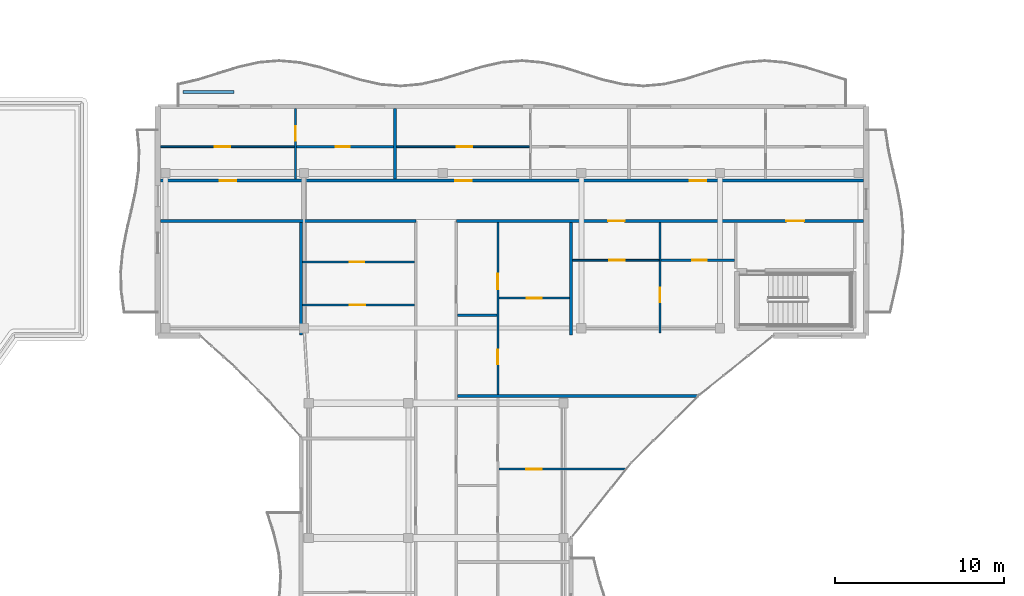
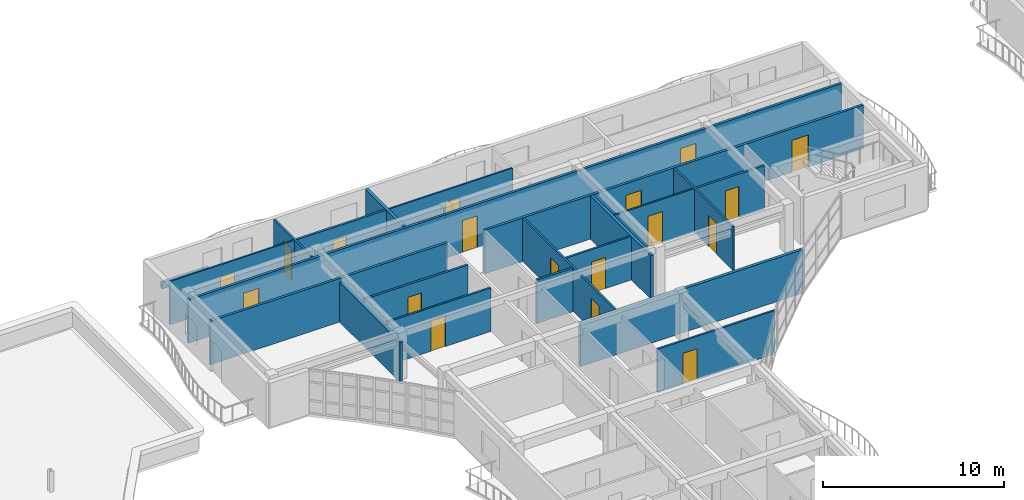
# One storey, part 28 of 54: 21 walls, 18 doors, 18 openings.
"""IFC4 building model written with IfcOpenShell, lengths in metres."""

import ifcopenshell
import ifcopenshell.guid

model = None  # the IFC model being written
_history = None  # IfcOwnerHistory: only IFC2X3 demands one
_inside = {}  # id of a spatial element -> (the spatial element, [elements in it])
_under = {}  # id of a project, library or spatial element -> (it, [spatial elements below it])
_declared = {}  # id of a project -> (the project, [libraries it declares])
_typed = {}  # id of a type object -> (the type object, [elements of that type])
_made_of = {}  # id of a material, layer set ... -> (it, [elements and type objects made of it])


def new_model(schema):
    """Start an empty IFC model of exactly this schema.

    Asked for "IFC4X3", IfcOpenShell would pick the latest addendum, in which some entities
    have other attributes; the version numbers below select the first issue.
    IFC2X3 requires an IfcOwnerHistory on every rooted entity: one is made here for all.
    """
    global model, _history
    if schema == "IFC4X3":
        model = ifcopenshell.file(schema_version=(4, 3, 0, 0))
    else:
        model = ifcopenshell.file(schema=schema)
    _inside.clear()
    _under.clear()
    _declared.clear()
    _typed.clear()
    _made_of.clear()
    _history = None
    if model.schema == "IFC2X3":
        org = make("IfcOrganization", Name="unknown")
        user = make(
            "IfcPersonAndOrganization",
            ThePerson=make("IfcPerson", FamilyName="unknown"),
            TheOrganization=org,
        )
        app = make(
            "IfcApplication",
            ApplicationDeveloper=org,
            Version="unknown",
            ApplicationFullName="unknown",
            ApplicationIdentifier="unknown",
        )
        _history = make(
            "IfcOwnerHistory",
            OwningUser=user,
            OwningApplication=app,
            ChangeAction="ADDED",
            CreationDate=0,
        )
    return model


def make(cls, **values):
    """One entity of the class cls with the attributes given. An attribute that is None is left unset."""
    return model.create_entity(
        cls, **{name: value for name, value in values.items() if value is not None}
    )


def rooted(cls, **values):
    """An entity with a GlobalId (a new one), such as an element, a storey or a relation."""
    return make(cls, GlobalId=ifcopenshell.guid.new(), OwnerHistory=_history, **values)


def si_unit(unit_type, name, prefix=None):
    """IfcSIUnit, for example si_unit("LENGTHUNIT", "METRE", prefix="MILLI")."""
    return make("IfcSIUnit", UnitType=unit_type, Prefix=prefix, Name=name)


def assignment(units):
    """IfcUnitAssignment: the units of a project."""
    return None if units is None else make("IfcUnitAssignment", Units=units)


def point(xyz):
    """IfcCartesianPoint."""
    return None if xyz is None else make("IfcCartesianPoint", Coordinates=xyz)


def direction(xyz):
    """IfcDirection."""
    return None if xyz is None else make("IfcDirection", DirectionRatios=xyz)


def frame(location, z_axis=None, x_axis=None):
    """IfcAxis2Placement3D, a coordinate frame: its origin and axes. An axis left out is left unset."""
    return make(
        "IfcAxis2Placement3D",
        Location=point(location),
        Axis=direction(z_axis),
        RefDirection=direction(x_axis),
    )


def frame_2d(location, x_axis=None):
    """IfcAxis2Placement2D, a coordinate frame in the plane: its origin and x axis."""
    return make(
        "IfcAxis2Placement2D", Location=point(location), RefDirection=direction(x_axis)
    )


def origin():
    """The frame at (0, 0, 0) with its axes left unset."""
    return frame((0.0, 0.0, 0.0))


def place(relative_to, where):
    """IfcLocalPlacement: puts the frame where relative to a parent placement (None: the world)."""
    return make(
        "IfcLocalPlacement", PlacementRelTo=relative_to, RelativePlacement=where
    )


def context(
    kind, dimensions, precision=None, world=None, true_north=None, identifier=None
):
    """IfcGeometricRepresentationContext, for example the 3D "Model" context."""
    return make(
        "IfcGeometricRepresentationContext",
        ContextIdentifier=identifier,
        ContextType=kind,
        CoordinateSpaceDimension=dimensions,
        Precision=precision,
        WorldCoordinateSystem=world,
        TrueNorth=true_north,
    )


def subcontext(parent, identifier, kind, view, scale=None):
    """IfcGeometricRepresentationSubContext, for example "Body" below "Model"."""
    return make(
        "IfcGeometricRepresentationSubContext",
        ContextIdentifier=identifier,
        ContextType=kind,
        ParentContext=parent,
        TargetScale=scale,
        TargetView=view,
    )


def project(units=None, contexts=None):
    """IfcProject with its units and contexts."""
    return rooted(
        "IfcProject",
        Name="project",
        RepresentationContexts=contexts,
        UnitsInContext=assignment(units),
    )


def spatial(cls, under=None, at=None, **own):
    """A site, building, storey or space (cls), placed at a placement, below another one or the project."""
    s = rooted(cls, ObjectPlacement=at, **own)
    if under is not None:
        _under.setdefault(under.id(), (under, []))[1].append(s)
    return s


def profile(cls, at=None, kind="AREA", **sizes):
    """A parametric profile (cls). Its sizes go by their IFC names, for example OverallWidth=200.0."""
    return make(cls, ProfileType=kind, Position=at, **sizes)


def rectangle(**sizes):
    """IfcRectangleProfileDef."""
    return profile("IfcRectangleProfileDef", **sizes)


def extrude(swept, where, along, depth):
    """IfcExtrudedAreaSolid: the profile swept, set in the frame where, extruded along a direction by depth."""
    return make(
        "IfcExtrudedAreaSolid",
        SweptArea=swept,
        Position=where,
        ExtrudedDirection=direction(along),
        Depth=depth,
    )


def shape(context_of_items, identifier, shape_type, items):
    """IfcShapeRepresentation: the items that make up one representation, for example the "Body"."""
    return make(
        "IfcShapeRepresentation",
        ContextOfItems=context_of_items,
        RepresentationIdentifier=identifier,
        RepresentationType=shape_type,
        Items=items,
    )


def material(Name=None, Category=None):
    """IfcMaterial."""
    return make("IfcMaterial", Name=Name, Category=Category)


def layer(
    of_material, thickness, ventilated=None, Name=None, Category=None, Priority=None
):
    """IfcMaterialLayer: one layer of a wall or slab, of a material (None: an air gap)."""
    return make(
        "IfcMaterialLayer",
        Material=of_material,
        LayerThickness=thickness,
        IsVentilated=ventilated,
        Name=Name,
        Category=Category,
        Priority=Priority,
    )


def layer_set(layers, Name=None):
    """IfcMaterialLayerSet."""
    return make("IfcMaterialLayerSet", MaterialLayers=layers, LayerSetName=Name)


def made_of(thing, what):
    """Note that an element or type object is made of a material, layer set ...; save() writes the relation."""
    if what is not None:
        _made_of.setdefault(what.id(), (what, []))[1].append(thing)
    return thing


def type_object(cls, material=None, **own):
    """A type object (cls), such as IfcWallType, which elements share."""
    return made_of(rooted(cls, **own), material)


def element(
    cls,
    number,
    at=None,
    inside=None,
    cuts=None,
    type_object=None,
    material=None,
    context=None,
    identifier="Body",
    shape_type=None,
    held_by="IfcProductDefinitionShape",
    body=None,
    shapes=None,
    **own,
):
    """One element of the class cls, such as IfcWall. Its Tag is "e" and its number.

    at: its placement. inside: the storey or other place that contains it. cuts: it is an
    opening in that element (IfcRelVoidsElement). A single representation is given by context,
    identifier, shape_type and body (its items); several are given by shapes. held_by: the class
    of the entity that holds the representations. save() writes the other relations.
    """
    e = rooted(cls, Tag="e%d" % number, ObjectPlacement=at, **own)
    if body is not None:
        shapes = [shape(context, identifier, shape_type, body)]
    if shapes is not None:
        e.Representation = make(held_by, Representations=shapes)
    if inside is not None:
        _inside.setdefault(inside.id(), (inside, []))[1].append(e)
    if cuts is not None:
        rooted(
            "IfcRelVoidsElement", RelatingBuildingElement=cuts, RelatedOpeningElement=e
        )
    if type_object is not None:
        _typed.setdefault(type_object.id(), (type_object, []))[1].append(e)
    return made_of(e, material)


def fill(opening, filler):
    """IfcRelFillsElement: the door or window that sits in an opening."""
    return rooted(
        "IfcRelFillsElement",
        RelatingOpeningElement=opening,
        RelatedBuildingElement=filler,
    )


def aggregate(whole, parts):
    """IfcRelAggregates: a whole, such as a stair, and the parts it consists of."""
    return rooted("IfcRelAggregates", RelatingObject=whole, RelatedObjects=parts)


def save(model, path):
    """Write the relations noted so far, then the file.

    IfcRelAggregates (storeys below a building ...), IfcRelContainedInSpatialStructure (elements
    in a storey), IfcRelDefinesByType, IfcRelAssociatesMaterial and IfcRelDeclares: one each for
    every whole, place, type object, material and project.
    """
    for whole, parts in _under.values():
        aggregate(whole, parts)
    for where, things in _inside.values():
        rooted(
            "IfcRelContainedInSpatialStructure",
            RelatedElements=things,
            RelatingStructure=where,
        )
    for kind, things in _typed.values():
        rooted("IfcRelDefinesByType", RelatedObjects=things, RelatingType=kind)
    for what, things in _made_of.values():
        rooted("IfcRelAssociatesMaterial", RelatedObjects=things, RelatingMaterial=what)
    for by, libraries in _declared.values():
        rooted("IfcRelDeclares", RelatingContext=by, RelatedDefinitions=libraries)
    model.write(path)


model = new_model("IFC4")

# Units and contexts
model_context = context("Model", 3, precision=1e-05, world=origin(), true_north=direction((0.0, 1.0)))
body_context = subcontext(model_context, "Body", "Model", "MODEL_VIEW")
ifc_project = project(units=[si_unit("LENGTHUNIT", "METRE"), si_unit("AREAUNIT", "SQUARE_METRE"), si_unit("VOLUMEUNIT", "CUBIC_METRE"), si_unit("PLANEANGLEUNIT", "RADIAN"), si_unit("MASSUNIT", "GRAM", prefix="KILO")], contexts=[model_context])

# Site, building, storey
site_placement = place(None, origin())
site = spatial("IfcSite", under=ifc_project, at=site_placement, CompositionType="ELEMENT")
building_placement = place(site_placement, origin())
building = spatial("IfcBuilding", under=site, at=building_placement, Name="Keldmere Railside Commons", CompositionType="ELEMENT")
storey_placement = place(building_placement, frame((0.0, 0.0, 26.56005859375)))
storey = spatial("IfcBuildingStorey", under=building, at=storey_placement, Name="L08", CompositionType="ELEMENT", Elevation=26.56005859375)

# Walls
ifc_material_1 = material(Name="Acoustic Gypsum Board Partition", Category="gypsum")
ifc_layer_1 = layer(ifc_material_1, 0.179931640625, Name="Acoustic Demising Partition 180")
ifc_layer_set_1 = layer_set([ifc_layer_1], Name="Acoustic Gypsum Board Partition")
wall_type_1 = type_object("IfcWallType", Name="Acoustic Demising Partition 180", PredefinedType="PARTITIONING", material=ifc_layer_set_1)
wall_1_placement = place(storey_placement, frame((64.0, 100.050048828125, 0.0), z_axis=(0.0, 0.0, 1.0), x_axis=(0.0, 1.0, 0.0)))
element("IfcWall", 1, at=wall_1_placement, inside=storey, type_object=wall_type_1, Name="IW-1 IW-L08-0820", PredefinedType="PARTITIONING", context=body_context, shape_type="SweptSolid", body=[
    extrude(rectangle(XDim=6.669921875, YDim=0.179931640625, at=frame_2d((3.3349609375, 0.0))), origin(), (0.0, 0.0, 1.0), 2.93505859375),
])
wall_2_placement = place(storey_placement, frame((48.0, 100.050048828125, 0.0), z_axis=(0.0, 0.0, 1.0), x_axis=(0.0, 1.0, 0.0)))
element("IfcWall", 2, at=wall_2_placement, inside=storey, type_object=wall_type_1, Name="IW-1 IW-L08-0821", PredefinedType="PARTITIONING", context=body_context, shape_type="SweptSolid", body=[
    extrude(rectangle(XDim=6.669921875, YDim=0.179931640625, at=frame_2d((3.3349609375, 0.0))), origin(), (0.0, 0.0, 1.0), 2.679931640625),
])
wall_3_placement = place(storey_placement, frame((57.280029296875, 96.429931640625, 0.0), z_axis=(0.0, 0.0, 1.0), x_axis=(1.0, 0.0, 0.0)))
element("IfcWall", 3, at=wall_3_placement, inside=storey, type_object=wall_type_1, Name="IW-1 IW-L08-0826", PredefinedType="PARTITIONING", context=body_context, shape_type="SweptSolid", body=[
    extrude(rectangle(XDim=14.21728515625, YDim=0.179931640625, at=frame_2d((7.108642578125, 0.0))), origin(), (0.0, 0.0, 1.0), 2.93505859375),
])
wall_4_placement = place(storey_placement, frame((53.550048828125, 109.280029296875, 0.0), z_axis=(0.0, 0.0, 1.0), x_axis=(0.0, 1.0, 0.0)))
element("IfcWall", 4, at=wall_4_placement, inside=storey, type_object=wall_type_1, Name="IW-1 IW-L08-0837", PredefinedType="PARTITIONING", context=body_context, shape_type="SweptSolid", body=[
    extrude(rectangle(XDim=4.199951171875, YDim=0.179931640625, at=frame_2d((2.10009765625, 0.0))), origin(), (0.0, 0.0, 1.0), 2.93505859375),
])

# Wall, opening, door
ifc_layer_2 = layer(ifc_material_1, 0.1201171875, Name="Apartment Interior Partition 120")
ifc_layer_set_2 = layer_set([ifc_layer_2], Name="Acoustic Gypsum Board Partition")
wall_type_2 = type_object("IfcWallType", Name="Apartment Interior Partition 120", PredefinedType="PARTITIONING", material=ifc_layer_set_2)
wall_5_placement = place(storey_placement, frame((59.719970703125, 92.090087890625, 0.0), z_axis=(0.0, 0.0, 1.0), x_axis=(1.0, 0.0, 0.0)))
wall_5 = element("IfcWall", 5, at=wall_5_placement, inside=storey, type_object=wall_type_2, Name="IW-4 IW-L08-0833", PredefinedType="PARTITIONING", context=body_context, shape_type="SweptSolid", body=[
    extrude(rectangle(XDim=7.510009765625, YDim=0.1201171875, at=frame_2d((3.7548828125, 0.0))), origin(), (0.0, 0.0, 1.0), 2.93505859375),
])
opening_1_placement = place(wall_5_placement, frame((1.6298828125, 0.0, 0.0)))
opening_1 = element("IfcOpeningElement", 6, at=opening_1_placement, cuts=wall_5, Name="Opening ID-01", PredefinedType="OPENING", context=body_context, shape_type="SweptSolid", body=[
    extrude(rectangle(XDim=0.89990234375, YDim=2.10009765625, at=frame_2d((0.449951171875, 1.050048828125))), frame((0.0, 0.070068359375, 0.0), z_axis=(0.0, -1.0, 0.0), x_axis=(1.0, 0.0, 0.0)), (0.0, 0.0, 1.0), 0.14013671875),
])
ifc_material_2 = material(Name="Engineered Oak Timber", Category="wood")
door_type_1 = type_object("IfcDoorType", Name="Primary Bedroom Door 900x2100", OperationType="NOTDEFINED", PredefinedType="DOOR", material=ifc_material_2)
door_1_placement = place(opening_1_placement, origin())
door_1 = element("IfcDoor", 7, at=door_1_placement, inside=storey, type_object=door_type_1, Name="ID-01 IDR-L08-0712", OperationType="SINGLE_SWING_RIGHT", OverallHeight=2.10009765625, OverallWidth=0.89990234375, PredefinedType="DOOR", context=body_context, shape_type="SweptSolid", body=[
    extrude(rectangle(XDim=0.89990234375, YDim=2.10009765625, at=frame_2d((0.449951171875, 1.050048828125))), frame((0.0, 0.02490234375, 0.0), z_axis=(0.0, -1.0, 0.0), x_axis=(1.0, 0.0, 0.0)), (0.0, 0.0, 1.0), 0.050048828125),
])
fill(opening_1, door_1)

# Wall, openings, doors
wall_6_placement = place(storey_placement, frame((59.659912109375, 96.52001953125, 0.0), z_axis=(0.0, 0.0, 1.0), x_axis=(0.0, 1.0, 0.0)))
wall_6 = element("IfcWall", 8, at=wall_6_placement, inside=storey, type_object=wall_type_2, Name="IW-4 IW-L08-0834", PredefinedType="PARTITIONING", context=body_context, shape_type="SweptSolid", body=[
    extrude(rectangle(XDim=10.199951171875, YDim=0.1201171875, at=frame_2d((5.10009765625, 0.0))), origin(), (0.0, 0.0, 1.0), 2.93505859375),
])
opening_2_placement = place(wall_6_placement, frame((1.7822265625, 0.0, 0.0)))
opening_2 = element("IfcOpeningElement", 9, at=opening_2_placement, cuts=wall_6, Name="Opening ID-04", PredefinedType="OPENING", context=body_context, shape_type="SweptSolid", body=[
    extrude(rectangle(XDim=0.860107421875, YDim=2.10009765625, at=frame_2d((0.43017578125, 1.050048828125))), frame((0.0, 0.070068359375, 0.0), z_axis=(0.0, -1.0, 0.0), x_axis=(1.0, 0.0, 0.0)), (0.0, 0.0, 1.0), 0.14013671875),
])
opening_3_placement = place(wall_6_placement, frame((6.23291015625, 0.0, 0.0)))
opening_3 = element("IfcOpeningElement", 10, at=opening_3_placement, cuts=wall_6, Name="Opening ID-03", PredefinedType="OPENING", context=body_context, shape_type="SweptSolid", body=[
    extrude(rectangle(XDim=0.919921875, YDim=2.10009765625, at=frame_2d((0.4599609375, 1.050048828125))), frame((0.0, 0.070068359375, 0.0), z_axis=(0.0, -1.0, 0.0), x_axis=(1.0, 0.0, 0.0)), (0.0, 0.0, 1.0), 0.14013671875),
])
door_type_2 = type_object("IfcDoorType", Name="Apartment Bathroom Door 860x2100", OperationType="NOTDEFINED", PredefinedType="DOOR", material=ifc_material_2)
door_2_placement = place(opening_2_placement, origin())
door_2 = element("IfcDoor", 11, at=door_2_placement, inside=storey, type_object=door_type_2, Name="ID-04 IDR-L08-0713", OperationType="SINGLE_SWING_LEFT", OverallHeight=2.10009765625, OverallWidth=0.860107421875, PredefinedType="DOOR", context=body_context, shape_type="SweptSolid", body=[
    extrude(rectangle(XDim=0.860107421875, YDim=2.10009765625, at=frame_2d((0.43017578125, 1.050048828125))), frame((0.0, 0.02490234375, 0.0), z_axis=(0.0, -1.0, 0.0), x_axis=(1.0, 0.0, 0.0)), (0.0, 0.0, 1.0), 0.050048828125),
])
fill(opening_2, door_2)
door_type_3 = type_object("IfcDoorType", Name="Kitchen Pocket-Frame Swing Door 920x2100", OperationType="NOTDEFINED", PredefinedType="DOOR", material=ifc_material_2)
door_3_placement = place(opening_3_placement, origin())
door_3 = element("IfcDoor", 12, at=door_3_placement, inside=storey, type_object=door_type_3, Name="ID-03 IDR-L08-0714", OperationType="SINGLE_SWING_RIGHT", OverallHeight=2.10009765625, OverallWidth=0.919921875, PredefinedType="DOOR", context=body_context, shape_type="SweptSolid", body=[
    extrude(rectangle(XDim=0.919921875, YDim=2.10009765625, at=frame_2d((0.4599609375, 1.050048828125))), frame((0.0, 0.02490234375, 0.0), z_axis=(0.0, -1.0, 0.0), x_axis=(1.0, 0.0, 0.0)), (0.0, 0.0, 1.0), 0.050048828125),
])
fill(opening_3, door_3)

# Wall, opening, door
wall_7_placement = place(storey_placement, frame((59.719970703125, 102.22998046875, 0.0), z_axis=(0.0, 0.0, 1.0), x_axis=(1.0, 0.0, 0.0)))
wall_7 = element("IfcWall", 13, at=wall_7_placement, inside=storey, type_object=wall_type_2, Name="IW-4 IW-L08-0836", PredefinedType="PARTITIONING", context=body_context, shape_type="SweptSolid", body=[
    extrude(rectangle(XDim=4.18994140625, YDim=0.1201171875, at=frame_2d((2.094970703125, 0.0))), origin(), (0.0, 0.0, 1.0), 2.93505859375),
])
opening_4_placement = place(wall_7_placement, frame((1.64501953125, 0.0, 0.0)))
opening_4 = element("IfcOpeningElement", 14, at=opening_4_placement, cuts=wall_7, Name="Opening ID-01", PredefinedType="OPENING", context=body_context, shape_type="SweptSolid", body=[
    extrude(rectangle(XDim=0.89990234375, YDim=2.10009765625, at=frame_2d((0.449951171875, 1.050048828125))), frame((0.0, 0.070068359375, 0.0), z_axis=(0.0, -1.0, 0.0), x_axis=(1.0, 0.0, 0.0)), (0.0, 0.0, 1.0), 0.14013671875),
])
door_4_placement = place(opening_4_placement, origin())
door_4 = element("IfcDoor", 15, at=door_4_placement, inside=storey, type_object=door_type_1, Name="ID-01 IDR-L08-0716", OperationType="SINGLE_SWING_RIGHT", OverallHeight=2.10009765625, OverallWidth=0.89990234375, PredefinedType="DOOR", context=body_context, shape_type="SweptSolid", body=[
    extrude(rectangle(XDim=0.89990234375, YDim=2.10009765625, at=frame_2d((0.449951171875, 1.050048828125))), frame((0.0, 0.02490234375, 0.0), z_axis=(0.0, -1.0, 0.0), x_axis=(1.0, 0.0, 0.0)), (0.0, 0.0, 1.0), 0.050048828125),
])
fill(opening_4, door_4)

wall_8_placement = place(storey_placement, frame((47.659912109375, 109.280029296875, 0.0), z_axis=(0.0, 0.0, 1.0), x_axis=(0.0, 1.0, 0.0)))
wall_8 = element("IfcWall", 16, at=wall_8_placement, inside=storey, type_object=wall_type_2, Name="IW-4 IW-L08-0839", PredefinedType="PARTITIONING", context=body_context, shape_type="SweptSolid", body=[
    extrude(rectangle(XDim=4.199951171875, YDim=0.1201171875, at=frame_2d((2.10009765625, 0.0))), origin(), (0.0, 0.0, 1.0), 2.93505859375),
])
opening_5_placement = place(wall_8_placement, frame((2.267578125, 0.0, 0.0)))
opening_5 = element("IfcOpeningElement", 17, at=opening_5_placement, cuts=wall_8, Name="Opening ID-04", PredefinedType="OPENING", context=body_context, shape_type="SweptSolid", body=[
    extrude(rectangle(XDim=0.860107421875, YDim=2.10009765625, at=frame_2d((0.43017578125, 1.050048828125))), frame((0.0, 0.070068359375, 0.0), z_axis=(0.0, -1.0, 0.0), x_axis=(1.0, 0.0, 0.0)), (0.0, 0.0, 1.0), 0.14013671875),
])
door_5_placement = place(opening_5_placement, origin())
door_5 = element("IfcDoor", 18, at=door_5_placement, inside=storey, type_object=door_type_2, Name="ID-04 IDR-L08-0719", OperationType="SINGLE_SWING_LEFT", OverallHeight=2.10009765625, OverallWidth=0.860107421875, PredefinedType="DOOR", context=body_context, shape_type="SweptSolid", body=[
    extrude(rectangle(XDim=0.860107421875, YDim=2.10009765625, at=frame_2d((0.43017578125, 1.050048828125))), frame((0.0, 0.02490234375, 0.0), z_axis=(0.0, -1.0, 0.0), x_axis=(1.0, 0.0, 0.0)), (0.0, 0.0, 1.0), 0.050048828125),
])
fill(opening_5, door_5)

wall_9_placement = place(storey_placement, frame((69.280029296875, 100.159912109375, 0.0), z_axis=(0.0, 0.0, 1.0), x_axis=(0.0, 1.0, 0.0)))
wall_9 = element("IfcWall", 19, at=wall_9_placement, inside=storey, type_object=wall_type_2, Name="IW-4 IW-L08-0848", PredefinedType="PARTITIONING", context=body_context, shape_type="SweptSolid", body=[
    extrude(rectangle(XDim=6.56005859375, YDim=0.1201171875, at=frame_2d((3.280029296875, 0.0))), origin(), (0.0, 0.0, 1.0), 2.93505859375),
])
opening_6_placement = place(wall_9_placement, frame((1.810302734375, 0.0, 0.0)))
opening_6 = element("IfcOpeningElement", 20, at=opening_6_placement, cuts=wall_9, Name="Opening ID-02", PredefinedType="OPENING", context=body_context, shape_type="SweptSolid", body=[
    extrude(rectangle(XDim=0.8798828125, YDim=2.10009765625, at=frame_2d((0.43994140625, 1.050048828125))), frame((0.0, 0.070068359375, 0.0), z_axis=(0.0, -1.0, 0.0), x_axis=(1.0, 0.0, 0.0)), (0.0, 0.0, 1.0), 0.14013671875),
])
door_type_4 = type_object("IfcDoorType", Name="Secondary Bedroom Door 880x2100", OperationType="NOTDEFINED", PredefinedType="DOOR", material=ifc_material_2)
door_6_placement = place(opening_6_placement, origin())
door_6 = element("IfcDoor", 21, at=door_6_placement, inside=storey, type_object=door_type_4, Name="ID-02 IDR-L08-0733", OperationType="SINGLE_SWING_LEFT", OverallHeight=2.10009765625, OverallWidth=0.8798828125, PredefinedType="DOOR", context=body_context, shape_type="SweptSolid", body=[
    extrude(rectangle(XDim=0.8798828125, YDim=2.10009765625, at=frame_2d((0.43994140625, 1.050048828125))), frame((0.0, 0.02490234375, 0.0), z_axis=(0.0, -1.0, 0.0), x_axis=(1.0, 0.0, 0.0)), (0.0, 0.0, 1.0), 0.050048828125),
])
fill(opening_6, door_6)

wall_10_placement = place(storey_placement, frame((48.090087890625, 101.820068359375, 0.0), z_axis=(0.0, 0.0, 1.0), x_axis=(1.0, 0.0, 0.0)))
wall_10 = element("IfcWall", 22, at=wall_10_placement, inside=storey, type_object=wall_type_2, Name="IW-4 IW-L08-0854", PredefinedType="PARTITIONING", context=body_context, shape_type="SweptSolid", body=[
    extrude(rectangle(XDim=6.6298828125, YDim=0.1201171875, at=frame_2d((3.31494140625, 0.0))), origin(), (0.0, 0.0, 1.0), 2.93505859375),
])
opening_7_placement = place(wall_10_placement, frame((2.78466796875, 0.0, 0.0)))
opening_7 = element("IfcOpeningElement", 23, at=opening_7_placement, cuts=wall_10, Name="Opening ID-03", PredefinedType="OPENING", context=body_context, shape_type="SweptSolid", body=[
    extrude(rectangle(XDim=0.919921875, YDim=2.10009765625, at=frame_2d((0.4599609375, 1.050048828125))), frame((0.0, 0.070068359375, 0.0), z_axis=(0.0, -1.0, 0.0), x_axis=(1.0, 0.0, 0.0)), (0.0, 0.0, 1.0), 0.14013671875),
])
door_7_placement = place(opening_7_placement, origin())
door_7 = element("IfcDoor", 24, at=door_7_placement, inside=storey, type_object=door_type_3, Name="ID-03 IDR-L08-0740", OperationType="SINGLE_SWING_RIGHT", OverallHeight=2.10009765625, OverallWidth=0.919921875, PredefinedType="DOOR", context=body_context, shape_type="SweptSolid", body=[
    extrude(rectangle(XDim=0.919921875, YDim=2.10009765625, at=frame_2d((0.4599609375, 1.050048828125))), frame((0.0, 0.02490234375, 0.0), z_axis=(0.0, -1.0, 0.0), x_axis=(1.0, 0.0, 0.0)), (0.0, 0.0, 1.0), 0.050048828125),
])
fill(opening_7, door_7)

# Wall
ifc_material_3 = material(Name="White Precast Concrete H-35 (C35/45)", Category="concrete")
ifc_layer_3 = layer(ifc_material_3, 0.169921875, Name="Balcony Planter Kerb Wall 170")
ifc_layer_set_3 = layer_set([ifc_layer_3], Name="White Precast Concrete H-35 (C35/45)")
wall_type_3 = type_object("IfcWallType", Name="Balcony Planter Kerb Wall 170", PredefinedType="PARAPET", material=ifc_layer_set_3)
wall_11_placement = place(storey_placement, frame((41.0, 114.449951171875, 0.0), z_axis=(0.0, 0.0, 1.0), x_axis=(1.0, 0.0, 0.0)))
element("IfcWall", 25, at=wall_11_placement, inside=storey, type_object=wall_type_3, Name="PW-2 PKBC-L08-0396", PredefinedType="PARAPET", context=body_context, shape_type="SweptSolid", body=[
    extrude(rectangle(XDim=3.0, YDim=0.169921875, at=frame_2d((1.5, 0.0))), origin(), (0.0, 0.0, 1.0), 0.449951171875),
])

# Wall, opening, door
ifc_layer_4 = layer(ifc_material_1, 0.10009765625, Name="Closet Light Partition 100")
ifc_layer_set_4 = layer_set([ifc_layer_4], Name="Acoustic Gypsum Board Partition")
wall_type_4 = type_object("IfcWallType", Name="Closet Light Partition 100", PredefinedType="PARTITIONING", material=ifc_layer_set_4)
wall_12_placement = place(storey_placement, frame((39.659912109375, 111.2099609375, 0.0), z_axis=(0.0, 0.0, 1.0), x_axis=(1.0, 0.0, 0.0)))
wall_12 = element("IfcWall", 26, at=wall_12_placement, inside=storey, type_object=wall_type_4, Name="IW-6 IW-L08-0841", PredefinedType="PARTITIONING", context=body_context, shape_type="SweptSolid", body=[
    extrude(rectangle(XDim=7.940185546875, YDim=0.10009765625, at=frame_2d((3.97021484375, 0.0))), origin(), (0.0, 0.0, 1.0), 2.93505859375),
])
opening_8_placement = place(wall_12_placement, frame((3.199951171875, 0.0, 0.0)))
opening_8 = element("IfcOpeningElement", 27, at=opening_8_placement, cuts=wall_12, Name="Opening ID-03", PredefinedType="OPENING", context=body_context, shape_type="SweptSolid", body=[
    extrude(rectangle(XDim=0.919921875, YDim=2.10009765625, at=frame_2d((0.4599609375, 1.050048828125))), frame((0.0, 0.06005859375, 0.0), z_axis=(0.0, -1.0, 0.0), x_axis=(1.0, 0.0, 0.0)), (0.0, 0.0, 1.0), 0.1201171875),
])
door_8_placement = place(opening_8_placement, origin())
door_8 = element("IfcDoor", 28, at=door_8_placement, inside=storey, type_object=door_type_3, Name="ID-03 IDR-L08-0718", OperationType="SINGLE_SWING_RIGHT", OverallHeight=2.10009765625, OverallWidth=0.919921875, PredefinedType="DOOR", context=body_context, shape_type="SweptSolid", body=[
    extrude(rectangle(XDim=0.919921875, YDim=2.10009765625, at=frame_2d((0.4599609375, 1.050048828125))), frame((0.0, 0.02490234375, 0.0), z_axis=(0.0, -1.0, 0.0), x_axis=(1.0, 0.0, 0.0)), (0.0, 0.0, 1.0), 0.050048828125),
])
fill(opening_8, door_8)

wall_13_placement = place(storey_placement, frame((53.639892578125, 111.2099609375, 0.0), z_axis=(0.0, 0.0, 1.0), x_axis=(1.0, 0.0, 0.0)))
wall_13 = element("IfcWall", 29, at=wall_13_placement, inside=storey, type_object=wall_type_4, Name="IW-6 IW-L08-0844", PredefinedType="PARTITIONING", context=body_context, shape_type="SweptSolid", body=[
    extrude(rectangle(XDim=7.900146484375, YDim=0.10009765625, at=frame_2d((3.9501953125, 0.0))), origin(), (0.0, 0.0, 1.0), 2.93505859375),
])
opening_9_placement = place(wall_13_placement, frame((3.583984375, 0.0, 0.0)))
opening_9 = element("IfcOpeningElement", 30, at=opening_9_placement, cuts=wall_13, Name="Opening ID-03", PredefinedType="OPENING", context=body_context, shape_type="SweptSolid", body=[
    extrude(rectangle(XDim=0.919921875, YDim=2.10009765625, at=frame_2d((0.4599609375, 1.050048828125))), frame((0.0, 0.06005859375, 0.0), z_axis=(0.0, -1.0, 0.0), x_axis=(1.0, 0.0, 0.0)), (0.0, 0.0, 1.0), 0.1201171875),
])
door_9_placement = place(opening_9_placement, origin())
door_9 = element("IfcDoor", 31, at=door_9_placement, inside=storey, type_object=door_type_3, Name="ID-03 IDR-L08-0722", OperationType="SINGLE_SWING_RIGHT", OverallHeight=2.10009765625, OverallWidth=0.919921875, PredefinedType="DOOR", context=body_context, shape_type="SweptSolid", body=[
    extrude(rectangle(XDim=0.919921875, YDim=2.10009765625, at=frame_2d((0.4599609375, 1.050048828125))), frame((0.0, 0.02490234375, 0.0), z_axis=(0.0, -1.0, 0.0), x_axis=(1.0, 0.0, 0.0)), (0.0, 0.0, 1.0), 0.050048828125),
])
fill(opening_9, door_9)

wall_14_placement = place(storey_placement, frame((64.090087890625, 104.469970703125, 0.0), z_axis=(0.0, 0.0, 1.0), x_axis=(1.0, 0.0, 0.0)))
wall_14 = element("IfcWall", 32, at=wall_14_placement, inside=storey, type_object=wall_type_4, Name="IW-6 IW-L08-0850", PredefinedType="PARTITIONING", context=body_context, shape_type="SweptSolid", body=[
    extrude(rectangle(XDim=5.1298828125, YDim=0.10009765625, at=frame_2d((2.56494140625, 0.0))), origin(), (0.0, 0.0, 1.0), 2.93505859375),
])
opening_10_placement = place(wall_14_placement, frame((2.1796875, 0.0, 0.0)))
opening_10 = element("IfcOpeningElement", 33, at=opening_10_placement, cuts=wall_14, Name="Opening ID-03", PredefinedType="OPENING", context=body_context, shape_type="SweptSolid", body=[
    extrude(rectangle(XDim=0.919921875, YDim=2.10009765625, at=frame_2d((0.4599609375, 1.050048828125))), frame((0.0, 0.06005859375, 0.0), z_axis=(0.0, -1.0, 0.0), x_axis=(1.0, 0.0, 0.0)), (0.0, 0.0, 1.0), 0.1201171875),
])
door_10_placement = place(opening_10_placement, origin())
door_10 = element("IfcDoor", 34, at=door_10_placement, inside=storey, type_object=door_type_3, Name="ID-03 IDR-L08-0732", OperationType="SINGLE_SWING_RIGHT", OverallHeight=2.10009765625, OverallWidth=0.919921875, PredefinedType="DOOR", context=body_context, shape_type="SweptSolid", body=[
    extrude(rectangle(XDim=0.919921875, YDim=2.10009765625, at=frame_2d((0.4599609375, 1.050048828125))), frame((0.0, 0.02490234375, 0.0), z_axis=(0.0, -1.0, 0.0), x_axis=(1.0, 0.0, 0.0)), (0.0, 0.0, 1.0), 0.050048828125),
])
fill(opening_10, door_10)

# Wall
ifc_layer_5 = layer(ifc_material_1, 0.159912109375, Name="Corridor Fire Partition 160")
ifc_layer_set_5 = layer_set([ifc_layer_5], Name="Acoustic Gypsum Board Partition")
wall_type_5 = type_object("IfcWallType", Name="Corridor Fire Partition 160", PredefinedType="PARTITIONING", material=ifc_layer_set_5)
wall_15_placement = place(storey_placement, frame((39.659912109375, 106.800048828125, 0.0), z_axis=(0.0, 0.0, 1.0), x_axis=(1.0, 0.0, 0.0)))
element("IfcWall", 35, at=wall_15_placement, inside=storey, type_object=wall_type_5, Name="IW-2 IW-L08-0817", PredefinedType="PARTITIONING", context=body_context, shape_type="SweptSolid", body=[
    extrude(rectangle(XDim=15.14013671875, YDim=0.159912109375, at=frame_2d((7.570068359375, 0.0))), origin(), (0.0, 0.0, 1.0), 2.93505859375),
])

# Wall, openings, doors
wall_16_placement = place(storey_placement, frame((57.199951171875, 106.800048828125, 0.0), z_axis=(0.0, 0.0, 1.0), x_axis=(1.0, 0.0, 0.0)))
wall_16 = element("IfcWall", 36, at=wall_16_placement, inside=storey, type_object=wall_type_5, Name="IW-2 IW-L08-0818", PredefinedType="PARTITIONING", context=body_context, shape_type="SweptSolid", body=[
    extrude(rectangle(XDim=24.14013671875, YDim=0.159912109375, at=frame_2d((12.070068359375, 0.0))), origin(), (0.0, 0.0, 1.0), 2.93505859375),
])
opening_11_placement = place(wall_16_placement, frame((19.574951171875, 0.0, 0.0)))
opening_11 = element("IfcOpeningElement", 37, at=opening_11_placement, cuts=wall_16, Name="Opening FD-1", PredefinedType="OPENING", context=body_context, shape_type="SweptSolid", body=[
    extrude(rectangle(XDim=1.050048828125, YDim=2.14990234375, at=frame_2d((0.52490234375, 1.074951171875))), frame((0.0, 0.08984375, 0.0), z_axis=(0.0, -1.0, 0.0), x_axis=(1.0, 0.0, 0.0)), (0.0, 0.0, 1.0), 0.179931640625),
])
opening_12_placement = place(wall_16_placement, frame((8.9951171875, 0.0, 0.0)))
opening_12 = element("IfcOpeningElement", 38, at=opening_12_placement, cuts=wall_16, Name="Opening FD-7", PredefinedType="OPENING", context=body_context, shape_type="SweptSolid", body=[
    extrude(rectangle(XDim=0.97998046875, YDim=2.14990234375, at=frame_2d((0.489990234375, 1.074951171875))), frame((0.0, 0.08984375, 0.0), z_axis=(0.0, -1.0, 0.0), x_axis=(1.0, 0.0, 0.0)), (0.0, 0.0, 1.0), 0.179931640625),
])
door_type_5 = type_object("IfcDoorType", Name="Apartment Entrance Acoustic Fire Door 980x2150", OperationType="NOTDEFINED", PredefinedType="DOOR", material=ifc_material_2)
door_11_placement = place(opening_12_placement, origin())
door_11 = element("IfcDoor", 39, at=door_11_placement, inside=storey, type_object=door_type_5, Name="FD-7 IDR-L08-0731", OperationType="SINGLE_SWING_LEFT", OverallHeight=2.14990234375, OverallWidth=0.97998046875, PredefinedType="DOOR", context=body_context, shape_type="SweptSolid", body=[
    extrude(rectangle(XDim=0.97998046875, YDim=2.14990234375, at=frame_2d((0.489990234375, 1.074951171875))), frame((0.0, 0.02490234375, 0.0), z_axis=(0.0, -1.0, 0.0), x_axis=(1.0, 0.0, 0.0)), (0.0, 0.0, 1.0), 0.050048828125),
])
fill(opening_12, door_11)
ifc_material_4 = material(Name="Steel F-24 (S235)", Category="steel")
door_type_6 = type_object("IfcDoorType", Name="Stair Core Fire Door 1050x2150", OperationType="NOTDEFINED", PredefinedType="DOOR", material=ifc_material_4)
door_12_placement = place(opening_11_placement, origin())
door_12 = element("IfcDoor", 40, at=door_12_placement, inside=storey, type_object=door_type_6, Name="FD-1 IDR-L08-0700", OperationType="SINGLE_SWING_RIGHT", OverallHeight=2.14990234375, OverallWidth=1.050048828125, PredefinedType="DOOR", context=body_context, shape_type="SweptSolid", body=[
    extrude(rectangle(XDim=1.050048828125, YDim=2.14990234375, at=frame_2d((0.52490234375, 1.074951171875))), frame((0.0, 0.02490234375, 0.0), z_axis=(0.0, -1.0, 0.0), x_axis=(1.0, 0.0, 0.0)), (0.0, 0.0, 1.0), 0.050048828125),
])
fill(opening_11, door_12)

wall_17_placement = place(storey_placement, frame((39.659912109375, 109.199951171875, 0.0), z_axis=(0.0, 0.0, 1.0), x_axis=(1.0, 0.0, 0.0)))
wall_17 = element("IfcWall", 41, at=wall_17_placement, inside=storey, type_object=wall_type_5, Name="IW-2 IW-L08-0819", PredefinedType="PARTITIONING", context=body_context, shape_type="SweptSolid", body=[
    extrude(rectangle(XDim=41.68017578125, YDim=0.159912109375, at=frame_2d((20.840087890625, 0.0))), origin(), (0.0, 0.0, 1.0), 2.93505859375),
])
opening_13_placement = place(wall_17_placement, frame((3.510009765625, 0.0, 0.0)))
opening_13 = element("IfcOpeningElement", 42, at=opening_13_placement, cuts=wall_17, Name="Opening FD-7", PredefinedType="OPENING", context=body_context, shape_type="SweptSolid", body=[
    extrude(rectangle(XDim=0.97998046875, YDim=2.14990234375, at=frame_2d((0.489990234375, 1.074951171875))), frame((0.0, 0.08984375, 0.0), z_axis=(0.0, -1.0, 0.0), x_axis=(1.0, 0.0, 0.0)), (0.0, 0.0, 1.0), 0.179931640625),
])
opening_14_placement = place(wall_17_placement, frame((17.469970703125, 0.0, 0.0)))
opening_14 = element("IfcOpeningElement", 43, at=opening_14_placement, cuts=wall_17, Name="Opening FD-7", PredefinedType="OPENING", context=body_context, shape_type="SweptSolid", body=[
    extrude(rectangle(XDim=0.97998046875, YDim=2.14990234375, at=frame_2d((0.489990234375, 1.074951171875))), frame((0.0, 0.08984375, 0.0), z_axis=(0.0, -1.0, 0.0), x_axis=(1.0, 0.0, 0.0)), (0.0, 0.0, 1.0), 0.179931640625),
])
opening_15_placement = place(wall_17_placement, frame((31.389892578125, 0.0, 0.0)))
opening_15 = element("IfcOpeningElement", 44, at=opening_15_placement, cuts=wall_17, Name="Opening FD-7", PredefinedType="OPENING", context=body_context, shape_type="SweptSolid", body=[
    extrude(rectangle(XDim=0.97998046875, YDim=2.14990234375, at=frame_2d((0.489990234375, 1.074951171875))), frame((0.0, 0.08984375, 0.0), z_axis=(0.0, -1.0, 0.0), x_axis=(1.0, 0.0, 0.0)), (0.0, 0.0, 1.0), 0.179931640625),
])
door_13_placement = place(opening_13_placement, origin())
door_13 = element("IfcDoor", 45, at=door_13_placement, inside=storey, type_object=door_type_5, Name="FD-7 IDR-L08-0717", OperationType="SINGLE_SWING_LEFT", OverallHeight=2.14990234375, OverallWidth=0.97998046875, PredefinedType="DOOR", context=body_context, shape_type="SweptSolid", body=[
    extrude(rectangle(XDim=0.97998046875, YDim=2.14990234375, at=frame_2d((0.489990234375, 1.074951171875))), frame((0.0, 0.02490234375, 0.0), z_axis=(0.0, -1.0, 0.0), x_axis=(1.0, 0.0, 0.0)), (0.0, 0.0, 1.0), 0.050048828125),
])
fill(opening_13, door_13)
door_14_placement = place(opening_14_placement, origin())
door_14 = element("IfcDoor", 46, at=door_14_placement, inside=storey, type_object=door_type_5, Name="FD-7 IDR-L08-0721", OperationType="SINGLE_SWING_LEFT", OverallHeight=2.14990234375, OverallWidth=0.97998046875, PredefinedType="DOOR", context=body_context, shape_type="SweptSolid", body=[
    extrude(rectangle(XDim=0.97998046875, YDim=2.14990234375, at=frame_2d((0.489990234375, 1.074951171875))), frame((0.0, 0.02490234375, 0.0), z_axis=(0.0, -1.0, 0.0), x_axis=(1.0, 0.0, 0.0)), (0.0, 0.0, 1.0), 0.050048828125),
])
fill(opening_14, door_14)
door_15_placement = place(opening_15_placement, origin())
door_15 = element("IfcDoor", 47, at=door_15_placement, inside=storey, type_object=door_type_5, Name="FD-7 IDR-L08-0726", OperationType="SINGLE_SWING_RIGHT", OverallHeight=2.14990234375, OverallWidth=0.97998046875, PredefinedType="DOOR", context=body_context, shape_type="SweptSolid", body=[
    extrude(rectangle(XDim=0.97998046875, YDim=2.14990234375, at=frame_2d((0.489990234375, 1.074951171875))), frame((0.0, 0.02490234375, 0.0), z_axis=(0.0, -1.0, 0.0), x_axis=(1.0, 0.0, 0.0)), (0.0, 0.0, 1.0), 0.050048828125),
])
fill(opening_15, door_15)

# Wall
ifc_layer_6 = layer(ifc_material_1, 0.139892578125, Name="Wet-Room Sanitary Partition 140")
ifc_layer_set_6 = layer_set([ifc_layer_6], Name="Acoustic Gypsum Board Partition")
wall_type_6 = type_object("IfcWallType", Name="Wet-Room Sanitary Partition 140", PredefinedType="PARTITIONING", material=ifc_layer_set_6)
wall_18_placement = place(storey_placement, frame((57.280029296875, 101.2099609375, 0.0), z_axis=(0.0, 0.0, 1.0), x_axis=(1.0, 0.0, 0.0)))
element("IfcWall", 48, at=wall_18_placement, inside=storey, type_object=wall_type_6, Name="IW-5 IW-L08-0835", PredefinedType="PARTITIONING", context=body_context, shape_type="SweptSolid", body=[
    extrude(rectangle(XDim=2.320068359375, YDim=0.139892578125, at=frame_2d((1.16015625, 0.0))), origin(), (0.0, 0.0, 1.0), 2.93505859375),
])

# Wall, opening, door
wall_19_placement = place(storey_placement, frame((47.719970703125, 111.2099609375, 0.0), z_axis=(0.0, 0.0, 1.0), x_axis=(1.0, 0.0, 0.0)))
wall_19 = element("IfcWall", 49, at=wall_19_placement, inside=storey, type_object=wall_type_6, Name="IW-5 IW-L08-0840", PredefinedType="PARTITIONING", context=body_context, shape_type="SweptSolid", body=[
    extrude(rectangle(XDim=5.739990234375, YDim=0.139892578125, at=frame_2d((2.8701171875, 0.0))), origin(), (0.0, 0.0, 1.0), 2.93505859375),
])
opening_16_placement = place(wall_19_placement, frame((2.320068359375, 0.0, 0.0)))
opening_16 = element("IfcOpeningElement", 50, at=opening_16_placement, cuts=wall_19, Name="Opening ID-06", PredefinedType="OPENING", context=body_context, shape_type="SweptSolid", body=[
    extrude(rectangle(XDim=0.85009765625, YDim=2.050048828125, at=frame_2d((0.425048828125, 1.02490234375))), frame((0.0, 0.079833984375, 0.0), z_axis=(0.0, -1.0, 0.0), x_axis=(1.0, 0.0, 0.0)), (0.0, 0.0, 1.0), 0.159912109375),
])
door_type_7 = type_object("IfcDoorType", Name="Storage Closet Door 850x2050", OperationType="NOTDEFINED", PredefinedType="DOOR", material=ifc_material_2)
door_16_placement = place(opening_16_placement, origin())
door_16 = element("IfcDoor", 51, at=door_16_placement, inside=storey, type_object=door_type_7, Name="ID-06 IDR-L08-0720", OperationType="SINGLE_SWING_RIGHT", OverallHeight=2.050048828125, OverallWidth=0.85009765625, PredefinedType="DOOR", context=body_context, shape_type="SweptSolid", body=[
    extrude(rectangle(XDim=0.85009765625, YDim=2.050048828125, at=frame_2d((0.425048828125, 1.02490234375))), frame((0.0, 0.02490234375, 0.0), z_axis=(0.0, -1.0, 0.0), x_axis=(1.0, 0.0, 0.0)), (0.0, 0.0, 1.0), 0.050048828125),
])
fill(opening_16, door_16)

wall_20_placement = place(storey_placement, frame((69.340087890625, 104.469970703125, 0.0), z_axis=(0.0, 0.0, 1.0), x_axis=(1.0, 0.0, 0.0)))
wall_20 = element("IfcWall", 52, at=wall_20_placement, inside=storey, type_object=wall_type_6, Name="IW-5 IW-L08-0849", PredefinedType="PARTITIONING", context=body_context, shape_type="SweptSolid", body=[
    extrude(rectangle(XDim=4.35986328125, YDim=0.139892578125, at=frame_2d((2.179931640625, 0.0))), origin(), (0.0, 0.0, 1.0), 2.93505859375),
])
opening_17_placement = place(wall_20_placement, frame((1.8564453125, 0.0, 0.0)))
opening_17 = element("IfcOpeningElement", 53, at=opening_17_placement, cuts=wall_20, Name="Opening ID-04", PredefinedType="OPENING", context=body_context, shape_type="SweptSolid", body=[
    extrude(rectangle(XDim=0.860107421875, YDim=2.10009765625, at=frame_2d((0.43017578125, 1.050048828125))), frame((0.0, 0.079833984375, 0.0), z_axis=(0.0, -1.0, 0.0), x_axis=(1.0, 0.0, 0.0)), (0.0, 0.0, 1.0), 0.159912109375),
])
door_17_placement = place(opening_17_placement, origin())
door_17 = element("IfcDoor", 54, at=door_17_placement, inside=storey, type_object=door_type_2, Name="ID-04 IDR-L08-0734", OperationType="SINGLE_SWING_RIGHT", OverallHeight=2.10009765625, OverallWidth=0.860107421875, PredefinedType="DOOR", context=body_context, shape_type="SweptSolid", body=[
    extrude(rectangle(XDim=0.860107421875, YDim=2.10009765625, at=frame_2d((0.43017578125, 1.050048828125))), frame((0.0, 0.02490234375, 0.0), z_axis=(0.0, -1.0, 0.0), x_axis=(1.0, 0.0, 0.0)), (0.0, 0.0, 1.0), 0.050048828125),
])
fill(opening_17, door_17)

wall_21_placement = place(storey_placement, frame((48.090087890625, 104.3701171875, 0.0), z_axis=(0.0, 0.0, 1.0), x_axis=(1.0, 0.0, 0.0)))
wall_21 = element("IfcWall", 55, at=wall_21_placement, inside=storey, type_object=wall_type_6, Name="IW-5 IW-L08-0855", PredefinedType="PARTITIONING", context=body_context, shape_type="SweptSolid", body=[
    extrude(rectangle(XDim=6.6298828125, YDim=0.139892578125, at=frame_2d((3.31494140625, 0.0))), origin(), (0.0, 0.0, 1.0), 2.93505859375),
])
opening_18_placement = place(wall_21_placement, frame((2.78466796875, 0.0, 0.0)))
opening_18 = element("IfcOpeningElement", 56, at=opening_18_placement, cuts=wall_21, Name="Opening ID-04", PredefinedType="OPENING", context=body_context, shape_type="SweptSolid", body=[
    extrude(rectangle(XDim=0.860107421875, YDim=2.10009765625, at=frame_2d((0.43017578125, 1.050048828125))), frame((0.0, 0.079833984375, 0.0), z_axis=(0.0, -1.0, 0.0), x_axis=(1.0, 0.0, 0.0)), (0.0, 0.0, 1.0), 0.159912109375),
])
door_18_placement = place(opening_18_placement, origin())
door_18 = element("IfcDoor", 57, at=door_18_placement, inside=storey, type_object=door_type_2, Name="ID-04 IDR-L08-0739", OperationType="SINGLE_SWING_LEFT", OverallHeight=2.10009765625, OverallWidth=0.860107421875, PredefinedType="DOOR", context=body_context, shape_type="SweptSolid", body=[
    extrude(rectangle(XDim=0.860107421875, YDim=2.10009765625, at=frame_2d((0.43017578125, 1.050048828125))), frame((0.0, 0.02490234375, 0.0), z_axis=(0.0, -1.0, 0.0), x_axis=(1.0, 0.0, 0.0)), (0.0, 0.0, 1.0), 0.050048828125),
])
fill(opening_18, door_18)

save(model, "model.ifc")
